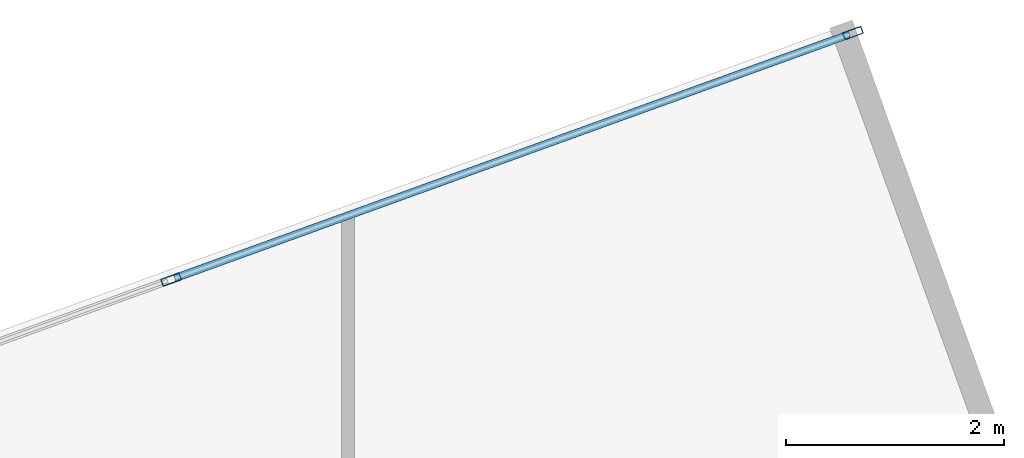
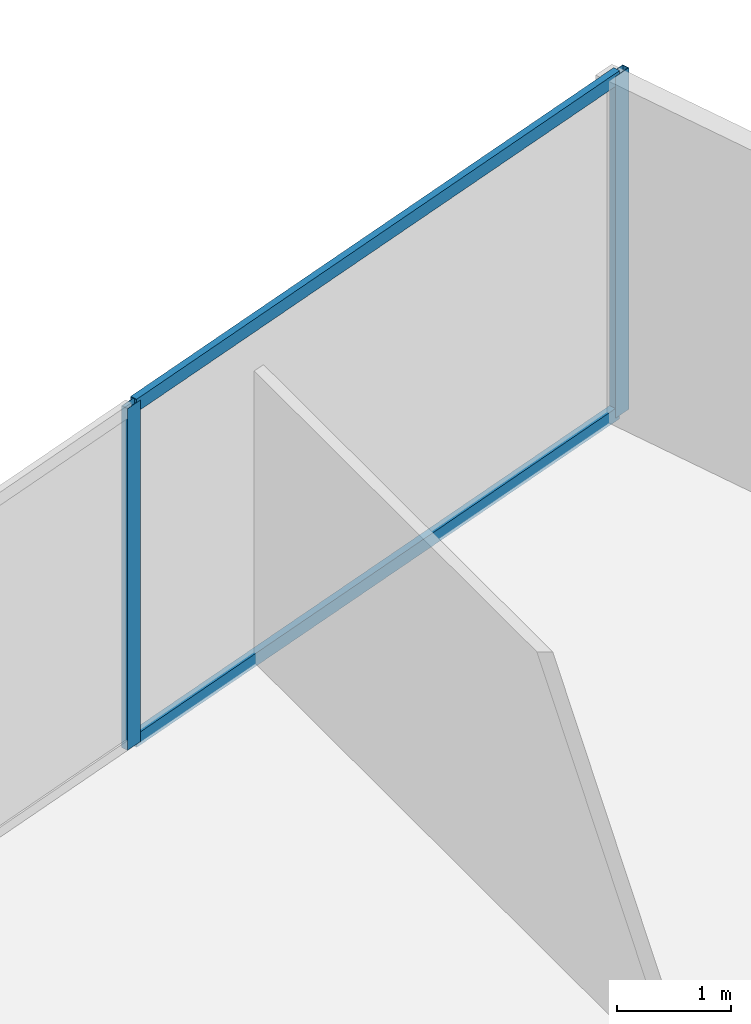
# One storey, part 15 of 21: 4 members, 1 element without a shape of its own.
"""IFC4 building model written with IfcOpenShell, lengths in metres."""

from ifc_helpers import new_model, si_unit, direction, frame, origin, origin_2d, place, context, subcontext, project, spatial, hollow_rectangle, extrude, source, transform, mapped, material, material_profile, profile_set, type_object, type_shapes, element, aggregate, save


model = new_model("IFC4")

# Units and contexts
model_context = context("Model", 3, precision=1e-05, world=origin(), true_north=direction((0.0, 1.0)))
body_context = subcontext(model_context, "Body", "Model", "MODEL_VIEW")
ifc_project = project(units=[si_unit("LENGTHUNIT", "METRE"), si_unit("AREAUNIT", "SQUARE_METRE"), si_unit("VOLUMEUNIT", "CUBIC_METRE"), si_unit("PLANEANGLEUNIT", "RADIAN"), si_unit("MASSUNIT", "GRAM", prefix="KILO")], contexts=[model_context])

# Site, building, storey
site_placement = place(None, origin())
site = spatial("IfcSite", under=ifc_project, at=site_placement, CompositionType="ELEMENT")
building_placement = place(site_placement, origin())
building = spatial("IfcBuilding", under=site, at=building_placement, Name="Krantzveldt Concourse Tower", CompositionType="ELEMENT")
storey_placement = place(building_placement, frame((0.0, 0.0, 331.64990234375)))
storey = spatial("IfcBuildingStorey", under=building, at=storey_placement, Name="L81", CompositionType="ELEMENT", Elevation=331.64990234375)

# Curtain wall, members
ifc_material = material(Name="Anodised aluminium 6063-T6", Category="aluminium")
curtain_wall_type = type_object("IfcCurtainWallType", Name="CW4", PredefinedType="USERDEFINED", material=ifc_material)
curtain_wall_placement = place(storey_placement, origin())
curtain_wall = element("IfcCurtainWall", 1, at=curtain_wall_placement, inside=storey, type_object=curtain_wall_type, Name="CW-L81-F01", ObjectType="UNITISED CURTAIN WALL", PredefinedType="USERDEFINED")
ifc_material_profile_1 = material_profile(ifc_material, hollow_rectangle(XDim=0.070068359375, YDim=0.179931640625, WallThickness=0.0048828125, at=origin_2d()), Name="Anodised aluminium 6063-T6", Category="aluminium")
ifc_profile_set_1 = profile_set([ifc_material_profile_1], Name="Anodised aluminium 6063-T6 - ALU-MULL 180x70x5")
member_type_1 = type_object("IfcMemberType", Name="CW-MUL-180", PredefinedType="MULLION", material=ifc_profile_set_1)
shared_shape_1 = source(origin(), body_context, "Body", "SweptSolid", [
    extrude(hollow_rectangle(XDim=0.070068359375, YDim=0.179931640625, WallThickness=0.0048828125, at=origin_2d()), origin(), (0.0, 0.0, 1.0), 3.670166015625),
])
type_shapes(member_type_1, [shared_shape_1])
member_1_placement = place(storey_placement, frame((42.14013671875, 49.02734375, 0.0), z_axis=(0.0, 0.0, 1.0), x_axis=(0.339969050563, -0.940436624478, 0.0)))
member_1 = element("IfcMember", 2, at=member_1_placement, type_object=member_type_1, Name="CW-Z56 mullion 1", PredefinedType="MULLION", context=body_context, shape_type="MappedRepresentation", body=[
    mapped(shared_shape_1, transform((0.0, 0.0, 0.0), x_axis=(1.0, 0.0, 0.0), y_axis=(0.0, 1.0, 0.0), z_axis=(0.0, 0.0, 1.0), scale=1.0)),
])
member_2_placement = place(storey_placement, frame((35.8720703125, 46.761474609375, 0.0), z_axis=(0.0, 0.0, 1.0), x_axis=(0.339969050563, -0.940436624478, 0.0)))
member_2 = element("IfcMember", 3, at=member_2_placement, type_object=member_type_1, Name="CW-Z56 mullion 2", PredefinedType="MULLION", context=body_context, shape_type="MappedRepresentation", body=[
    mapped(shared_shape_1, transform((0.0, 0.0, 0.0), x_axis=(1.0, 0.0, 0.0), y_axis=(0.0, 1.0, 0.0), z_axis=(0.0, 0.0, 1.0), scale=1.0)),
])
ifc_material_profile_2 = material_profile(ifc_material, hollow_rectangle(XDim=0.070068359375, YDim=0.139892578125, WallThickness=0.0048828125, at=origin_2d()), Name="Anodised aluminium 6063-T6", Category="aluminium")
ifc_profile_set_2 = profile_set([ifc_material_profile_2], Name="Anodised aluminium 6063-T6 - ALU-TRAN 140x70x5")
member_type_2 = type_object("IfcMemberType", Name="CW-TRN-150", PredefinedType="USERDEFINED", material=ifc_profile_set_2)
shared_shape_2 = source(origin(), body_context, "Body", "SweptSolid", [
    extrude(hollow_rectangle(XDim=0.070068359375, YDim=0.139892578125, WallThickness=0.0048828125, at=origin_2d()), origin(), (0.0, 0.0, 1.0), 6.594970703125),
])
type_shapes(member_type_2, [shared_shape_2])
member_3_placement = place(storey_placement, frame((42.107177734375, 49.015380859375, 0.03515625), z_axis=(-0.940443473785, -0.339950103124, 0.0), x_axis=(0.339950103124, -0.940443473785, 0.0)))
member_3 = element("IfcMember", 4, at=member_3_placement, type_object=member_type_2, Name="CW-Z56 transom 1.1", ObjectType="TRANSOM", PredefinedType="USERDEFINED", context=body_context, shape_type="MappedRepresentation", body=[
    mapped(shared_shape_2, transform((0.0, 0.0, 0.0), x_axis=(1.0, 0.0, 0.0), y_axis=(0.0, 1.0, 0.0), z_axis=(0.0, 0.0, 1.0), scale=1.0)),
])
member_4_placement = place(storey_placement, frame((42.107177734375, 49.015380859375, 3.635009765625), z_axis=(-0.940443473785, -0.339950103124, 0.0), x_axis=(0.339950103124, -0.940443473785, 0.0)))
member_4 = element("IfcMember", 5, at=member_4_placement, type_object=member_type_2, Name="CW-Z56 transom 1.2", ObjectType="TRANSOM", PredefinedType="USERDEFINED", context=body_context, shape_type="MappedRepresentation", body=[
    mapped(shared_shape_2, transform((0.0, 0.0, 0.0), x_axis=(1.0, 0.0, 0.0), y_axis=(0.0, 1.0, 0.0), z_axis=(0.0, 0.0, 1.0), scale=1.0)),
])
aggregate(curtain_wall, [member_1, member_2, member_3, member_4])

save(model, "model.ifc")
